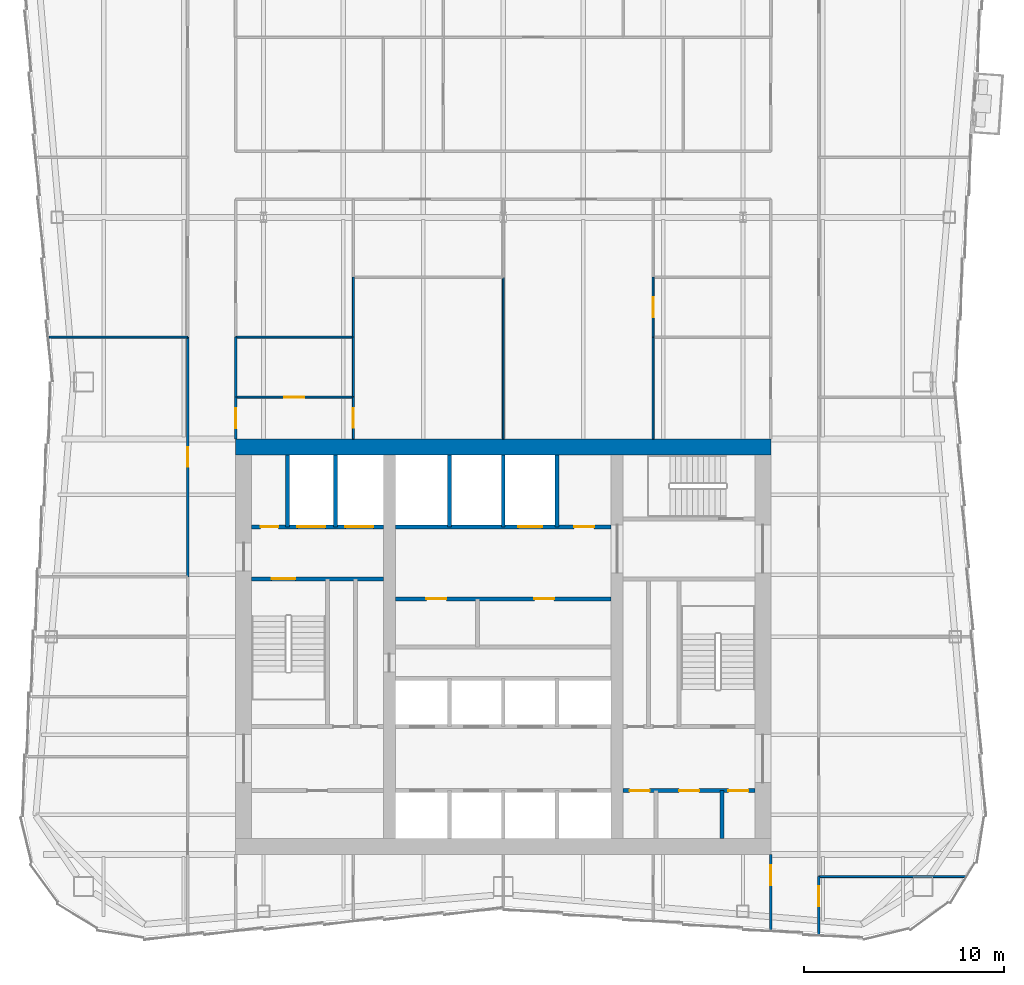
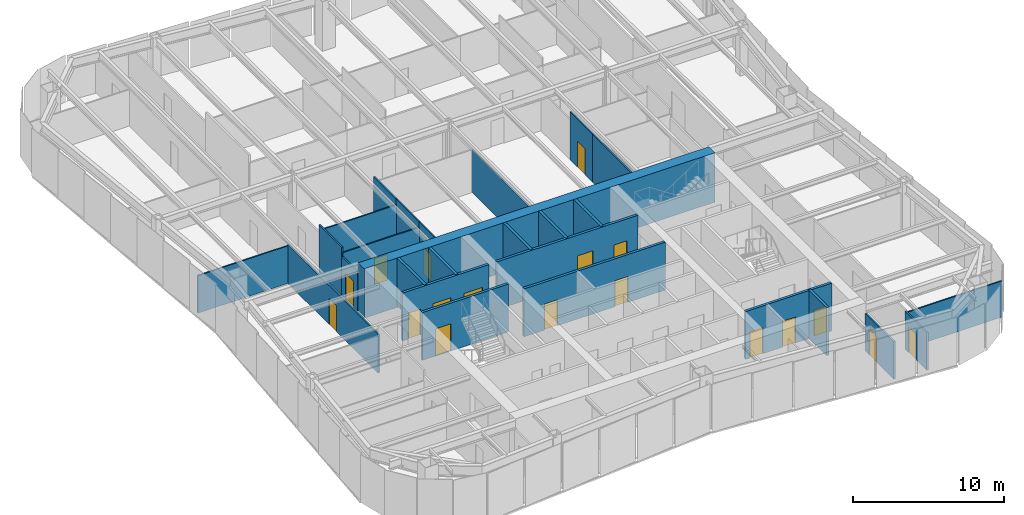
# One storey, part 7 of 11: 27 walls, 18 doors, 18 openings.
"""IFC4 building model written with IfcOpenShell, lengths in metres."""

from ifc_helpers import new_model, si_unit, direction, frame, frame_2d, origin, place, context, subcontext, project, spatial, rectangle, extrude, material, layer, layer_set, type_object, element, fill, save


model = new_model("IFC4")

# Units and contexts
model_context = context("Model", 3, precision=1e-05, world=origin(), true_north=direction((0.0, 1.0)))
body_context = subcontext(model_context, "Body", "Model", "MODEL_VIEW")
ifc_project = project(units=[si_unit("LENGTHUNIT", "METRE"), si_unit("AREAUNIT", "SQUARE_METRE"), si_unit("VOLUMEUNIT", "CUBIC_METRE"), si_unit("PLANEANGLEUNIT", "RADIAN"), si_unit("MASSUNIT", "GRAM", prefix="KILO")], contexts=[model_context])

# Site, building, storey
site_placement = place(None, origin())
site = spatial("IfcSite", under=ifc_project, at=site_placement, CompositionType="ELEMENT")
building_placement = place(site_placement, origin())
building = spatial("IfcBuilding", under=site, at=building_placement, Name="Verdant Reach Tower", CompositionType="ELEMENT")
storey_placement = place(building_placement, frame((0.0, 0.0, 254.0)))
storey = spatial("IfcBuildingStorey", under=building, at=storey_placement, Name="L58", CompositionType="ELEMENT", Elevation=254.0)

# Wall, openings, doors
ifc_material_1 = material(Name="Gypsum board on steel studs", Category="steel")
ifc_layer_1 = layer(ifc_material_1, 0.199951171875)
ifc_layer_set_1 = layer_set([ifc_layer_1], Name="CO-WALL-ROOM")
wall_type_1 = type_object("IfcWallType", Name="CO-WALL-ROOM", PredefinedType="PARTITIONING", material=ifc_layer_set_1)
wall_1_placement = place(storey_placement, frame((6.0, 20.800048828125, 0.0), z_axis=(0.0, 0.0, 1.0), x_axis=(1.0, 0.0, 0.0)))
wall_1 = element("IfcWall", 1, at=wall_1_placement, inside=storey, type_object=wall_type_1, Name="Core partition, L58", PredefinedType="PARTITIONING", context=body_context, shape_type="SweptSolid", body=[
    extrude(rectangle(XDim=6.60009765625, YDim=0.199951171875, at=frame_2d((3.300048828125, 0.0))), origin(), (0.0, 0.0, 1.0), 3.8701171875),
])
opening_1_placement = place(wall_1_placement, frame((0.324951171875, 0.0, 0.0)))
opening_1 = element("IfcOpeningElement", 2, at=opening_1_placement, cuts=wall_1, Name="Opening CD", PredefinedType="OPENING", context=body_context, shape_type="SweptSolid", body=[
    extrude(rectangle(XDim=1.0, YDim=2.10009765625, at=frame_2d((0.5, 1.050048828125))), frame((0.0, 0.10986328125, 0.0), z_axis=(0.0, -1.0, 0.0), x_axis=(1.0, 0.0, 0.0)), (0.0, 0.0, 1.0), 0.219970703125),
])
opening_2_placement = place(wall_1_placement, frame((2.800048828125, 0.0, 0.0)))
opening_2 = element("IfcOpeningElement", 3, at=opening_2_placement, cuts=wall_1, Name="Opening CD", PredefinedType="OPENING", context=body_context, shape_type="SweptSolid", body=[
    extrude(rectangle(XDim=1.0, YDim=2.10009765625, at=frame_2d((0.5, 1.050048828125))), frame((0.0, 0.10986328125, 0.0), z_axis=(0.0, -1.0, 0.0), x_axis=(1.0, 0.0, 0.0)), (0.0, 0.0, 1.0), 0.219970703125),
])
opening_3_placement = place(wall_1_placement, frame((5.27490234375, 0.0, 0.0)))
opening_3 = element("IfcOpeningElement", 4, at=opening_3_placement, cuts=wall_1, Name="Opening CD", PredefinedType="OPENING", context=body_context, shape_type="SweptSolid", body=[
    extrude(rectangle(XDim=1.0, YDim=2.10009765625, at=frame_2d((0.5, 1.050048828125))), frame((0.0, 0.10986328125, 0.0), z_axis=(0.0, -1.0, 0.0), x_axis=(1.0, 0.0, 0.0)), (0.0, 0.0, 1.0), 0.219970703125),
])
ifc_material_2 = material(Name="Timber", Category="wood")
door_type_1 = type_object("IfcDoorType", Name="CO-DOOR-ROOM", OperationType="NOTDEFINED", PredefinedType="DOOR", material=ifc_material_2)
door_1_placement = place(opening_1_placement, origin())
door_1 = element("IfcDoor", 5, at=door_1_placement, inside=storey, type_object=door_type_1, Name="Core room door, L58", OperationType="SINGLE_SWING_LEFT", OverallHeight=2.10009765625, OverallWidth=1.0, PredefinedType="DOOR", context=body_context, shape_type="SweptSolid", body=[
    extrude(rectangle(XDim=1.0, YDim=2.10009765625, at=frame_2d((0.5, 1.050048828125))), frame((0.0, 0.02490234375, 0.0), z_axis=(0.0, -1.0, 0.0), x_axis=(1.0, 0.0, 0.0)), (0.0, 0.0, 1.0), 0.050048828125),
])
fill(opening_1, door_1)
door_2_placement = place(opening_2_placement, origin())
door_2 = element("IfcDoor", 6, at=door_2_placement, inside=storey, type_object=door_type_1, Name="Core room door, L58", OperationType="SINGLE_SWING_LEFT", OverallHeight=2.10009765625, OverallWidth=1.0, PredefinedType="DOOR", context=body_context, shape_type="SweptSolid", body=[
    extrude(rectangle(XDim=1.0, YDim=2.10009765625, at=frame_2d((0.5, 1.050048828125))), frame((0.0, 0.02490234375, 0.0), z_axis=(0.0, -1.0, 0.0), x_axis=(1.0, 0.0, 0.0)), (0.0, 0.0, 1.0), 0.050048828125),
])
fill(opening_2, door_2)
door_3_placement = place(opening_3_placement, origin())
door_3 = element("IfcDoor", 7, at=door_3_placement, inside=storey, type_object=door_type_1, Name="Core room door, L58", OperationType="SINGLE_SWING_LEFT", OverallHeight=2.10009765625, OverallWidth=1.0, PredefinedType="DOOR", context=body_context, shape_type="SweptSolid", body=[
    extrude(rectangle(XDim=1.0, YDim=2.10009765625, at=frame_2d((0.5, 1.050048828125))), frame((0.0, 0.02490234375, 0.0), z_axis=(0.0, -1.0, 0.0), x_axis=(1.0, 0.0, 0.0)), (0.0, 0.0, 1.0), 0.050048828125),
])
fill(opening_3, door_3)

wall_2_placement = place(storey_placement, frame((-5.39990234375, 30.39990234375, 0.0), z_axis=(0.0, 0.0, 1.0), x_axis=(1.0, 0.0, 0.0)))
wall_2 = element("IfcWall", 8, at=wall_2_placement, inside=storey, type_object=wall_type_1, Name="Core partition, L58", PredefinedType="PARTITIONING", context=body_context, shape_type="SweptSolid", body=[
    extrude(rectangle(XDim=10.7998046875, YDim=0.199951171875, at=frame_2d((5.39990234375, 0.0))), origin(), (0.0, 0.0, 1.0), 3.8701171875),
])
opening_4_placement = place(wall_2_placement, frame((1.552001953125, 0.0, 0.0)))
opening_4 = element("IfcOpeningElement", 9, at=opening_4_placement, cuts=wall_2, Name="Opening CD", PredefinedType="OPENING", context=body_context, shape_type="SweptSolid", body=[
    extrude(rectangle(XDim=1.0, YDim=2.10009765625, at=frame_2d((0.5, 1.050048828125))), frame((0.0, 0.10986328125, 0.0), z_axis=(0.0, -1.0, 0.0), x_axis=(1.0, 0.0, 0.0)), (0.0, 0.0, 1.0), 0.219970703125),
])
opening_5_placement = place(wall_2_placement, frame((6.951904296875, 0.0, 0.0)))
opening_5 = element("IfcOpeningElement", 10, at=opening_5_placement, cuts=wall_2, Name="Opening CD", PredefinedType="OPENING", context=body_context, shape_type="SweptSolid", body=[
    extrude(rectangle(XDim=1.0, YDim=2.10009765625, at=frame_2d((0.5, 1.050048828125))), frame((0.0, 0.10986328125, 0.0), z_axis=(0.0, -1.0, 0.0), x_axis=(1.0, 0.0, 0.0)), (0.0, 0.0, 1.0), 0.219970703125),
])
door_4_placement = place(opening_4_placement, origin())
door_4 = element("IfcDoor", 11, at=door_4_placement, inside=storey, type_object=door_type_1, Name="Core room door, L58", OperationType="SINGLE_SWING_LEFT", OverallHeight=2.10009765625, OverallWidth=1.0, PredefinedType="DOOR", context=body_context, shape_type="SweptSolid", body=[
    extrude(rectangle(XDim=1.0, YDim=2.10009765625, at=frame_2d((0.5, 1.050048828125))), frame((0.0, 0.02490234375, 0.0), z_axis=(0.0, -1.0, 0.0), x_axis=(1.0, 0.0, 0.0)), (0.0, 0.0, 1.0), 0.050048828125),
])
fill(opening_4, door_4)
door_5_placement = place(opening_5_placement, origin())
door_5 = element("IfcDoor", 12, at=door_5_placement, inside=storey, type_object=door_type_1, Name="Core room door, L58", OperationType="SINGLE_SWING_RIGHT", OverallHeight=2.10009765625, OverallWidth=1.0, PredefinedType="DOOR", context=body_context, shape_type="SweptSolid", body=[
    extrude(rectangle(XDim=1.0, YDim=2.10009765625, at=frame_2d((0.5, 1.050048828125))), frame((0.0, 0.02490234375, 0.0), z_axis=(0.0, -1.0, 0.0), x_axis=(1.0, 0.0, 0.0)), (0.0, 0.0, 1.0), 0.050048828125),
])
fill(opening_5, door_5)

# Wall
wall_3_placement = place(storey_placement, frame((10.949951171875, 18.39990234375, 0.0), z_axis=(0.0, 0.0, 1.0), x_axis=(0.0, 1.0, 0.0)))
element("IfcWall", 13, at=wall_3_placement, inside=storey, type_object=wall_type_1, Name="Core partition, L58", PredefinedType="PARTITIONING", context=body_context, shape_type="SweptSolid", body=[
    extrude(rectangle(XDim=2.400146484375, YDim=0.199951171875, at=frame_2d((1.2001953125, 0.0))), origin(), (0.0, 0.0, 1.0), 3.8701171875),
])

# Wall, openings, doors
ifc_material_3 = material(Name="Concrete C40/50", Category="concrete")
ifc_layer_2 = layer(ifc_material_3, 0.199951171875)
ifc_layer_set_2 = layer_set([ifc_layer_2], Name="CO-WALL-SHAFT")
wall_type_2 = type_object("IfcWallType", Name="CO-WALL-SHAFT", PredefinedType="PARTITIONING", material=ifc_layer_set_2)
wall_4_placement = place(storey_placement, frame((-12.60009765625, 34.0, 0.0), z_axis=(0.0, 0.0, 1.0), x_axis=(1.0, 0.0, 0.0)))
wall_4 = element("IfcWall", 14, at=wall_4_placement, inside=storey, type_object=wall_type_2, Name="Lift shaft wall, L58", PredefinedType="PARTITIONING", context=body_context, shape_type="SweptSolid", body=[
    extrude(rectangle(XDim=6.60009765625, YDim=0.199951171875, at=frame_2d((3.300048828125, 0.0))), origin(), (0.0, 0.0, 1.0), 3.8701171875),
])
opening_6_placement = place(wall_4_placement, frame((4.699951171875, 0.0, 0.0)))
opening_6 = element("IfcOpeningElement", 15, at=opening_6_placement, cuts=wall_4, Name="Opening LD-F1", PredefinedType="OPENING", context=body_context, shape_type="SweptSolid", body=[
    extrude(rectangle(XDim=1.39990234375, YDim=2.199951171875, at=frame_2d((0.699951171875, 1.10009765625))), frame((0.0, 0.10986328125, 0.0), z_axis=(0.0, -1.0, 0.0), x_axis=(1.0, 0.0, 0.0)), (0.0, 0.0, 1.0), 0.219970703125),
])
opening_7_placement = place(wall_4_placement, frame((2.300048828125, 0.0, 0.0)))
opening_7 = element("IfcOpeningElement", 16, at=opening_7_placement, cuts=wall_4, Name="Opening LD-F2", PredefinedType="OPENING", context=body_context, shape_type="SweptSolid", body=[
    extrude(rectangle(XDim=1.39990234375, YDim=2.199951171875, at=frame_2d((0.699951171875, 1.10009765625))), frame((0.0, 0.10986328125, 0.0), z_axis=(0.0, -1.0, 0.0), x_axis=(1.0, 0.0, 0.0)), (0.0, 0.0, 1.0), 0.219970703125),
])
opening_8_placement = place(wall_4_placement, frame((0.449951171875, 0.0, 0.0)))
opening_8 = element("IfcOpeningElement", 17, at=opening_8_placement, cuts=wall_4, Name="Opening RD", PredefinedType="OPENING", context=body_context, shape_type="SweptSolid", body=[
    extrude(rectangle(XDim=0.89990234375, YDim=2.10009765625, at=frame_2d((0.449951171875, 1.050048828125))), frame((0.0, 0.10986328125, 0.0), z_axis=(0.0, -1.0, 0.0), x_axis=(1.0, 0.0, 0.0)), (0.0, 0.0, 1.0), 0.219970703125),
])
ifc_material_4 = material(Name="Stainless steel", Category="steel")
door_type_2 = type_object("IfcDoorType", Name="CO-DOOR-LANDING-FF", OperationType="SLIDING_TO_LEFT", PredefinedType="DOOR", material=ifc_material_4)
door_6_placement = place(opening_6_placement, origin())
door_6 = element("IfcDoor", 18, at=door_6_placement, inside=storey, type_object=door_type_2, Name="Landing door F1, L58", OperationType="SLIDING_TO_LEFT", OverallHeight=2.199951171875, OverallWidth=1.39990234375, PredefinedType="DOOR", context=body_context, shape_type="SweptSolid", body=[
    extrude(rectangle(XDim=1.39990234375, YDim=2.199951171875, at=frame_2d((0.699951171875, 1.10009765625))), frame((0.0, 0.02490234375, 0.0), z_axis=(0.0, -1.0, 0.0), x_axis=(1.0, 0.0, 0.0)), (0.0, 0.0, 1.0), 0.050048828125),
])
fill(opening_6, door_6)
door_7_placement = place(opening_7_placement, origin())
door_7 = element("IfcDoor", 19, at=door_7_placement, inside=storey, type_object=door_type_2, Name="Landing door F2, L58", OperationType="SLIDING_TO_LEFT", OverallHeight=2.199951171875, OverallWidth=1.39990234375, PredefinedType="DOOR", context=body_context, shape_type="SweptSolid", body=[
    extrude(rectangle(XDim=1.39990234375, YDim=2.199951171875, at=frame_2d((0.699951171875, 1.10009765625))), frame((0.0, 0.02490234375, 0.0), z_axis=(0.0, -1.0, 0.0), x_axis=(1.0, 0.0, 0.0)), (0.0, 0.0, 1.0), 0.050048828125),
])
fill(opening_7, door_7)
ifc_material_5 = material(Name="Steel", Category="steel")
door_type_3 = type_object("IfcDoorType", Name="CO-DOOR-RISER", OperationType="NOTDEFINED", PredefinedType="DOOR", material=ifc_material_5)
door_8_placement = place(opening_8_placement, origin())
door_8 = element("IfcDoor", 20, at=door_8_placement, inside=storey, type_object=door_type_3, Name="Core room door, L58", OperationType="SINGLE_SWING_RIGHT", OverallHeight=2.10009765625, OverallWidth=0.89990234375, PredefinedType="DOOR", context=body_context, shape_type="SweptSolid", body=[
    extrude(rectangle(XDim=0.89990234375, YDim=2.10009765625, at=frame_2d((0.449951171875, 1.050048828125))), frame((0.0, 0.02490234375, 0.0), z_axis=(0.0, -1.0, 0.0), x_axis=(1.0, 0.0, 0.0)), (0.0, 0.0, 1.0), 0.050048828125),
])
fill(opening_8, door_8)

wall_5_placement = place(storey_placement, frame((-5.39990234375, 34.0, 0.0), z_axis=(0.0, 0.0, 1.0), x_axis=(1.0, 0.0, 0.0)))
wall_5 = element("IfcWall", 21, at=wall_5_placement, inside=storey, type_object=wall_type_2, Name="Lift shaft wall, L58", PredefinedType="PARTITIONING", context=body_context, shape_type="SweptSolid", body=[
    extrude(rectangle(XDim=10.7998046875, YDim=0.199951171875, at=frame_2d((5.39990234375, 0.0))), origin(), (0.0, 0.0, 1.0), 3.8701171875),
])
opening_9_placement = place(wall_5_placement, frame((6.14990234375, 0.0, 0.0)))
opening_9 = element("IfcOpeningElement", 22, at=opening_9_placement, cuts=wall_5, Name="Opening LD-SL1", PredefinedType="OPENING", context=body_context, shape_type="SweptSolid", body=[
    extrude(rectangle(XDim=1.199951171875, YDim=2.199951171875, at=frame_2d((0.60009765625, 1.10009765625))), frame((0.0, 0.10986328125, 0.0), z_axis=(0.0, -1.0, 0.0), x_axis=(1.0, 0.0, 0.0)), (0.0, 0.0, 1.0), 0.219970703125),
])
opening_10_placement = place(wall_5_placement, frame((8.949951171875, 0.0, 0.0)))
opening_10 = element("IfcOpeningElement", 23, at=opening_10_placement, cuts=wall_5, Name="Opening CD", PredefinedType="OPENING", context=body_context, shape_type="SweptSolid", body=[
    extrude(rectangle(XDim=1.0, YDim=2.10009765625, at=frame_2d((0.5, 1.050048828125))), frame((0.0, 0.10986328125, 0.0), z_axis=(0.0, -1.0, 0.0), x_axis=(1.0, 0.0, 0.0)), (0.0, 0.0, 1.0), 0.219970703125),
])
door_type_4 = type_object("IfcDoorType", Name="CO-DOOR-LANDING", OperationType="SLIDING_TO_LEFT", PredefinedType="DOOR", material=ifc_material_4)
door_9_placement = place(opening_9_placement, origin())
door_9 = element("IfcDoor", 24, at=door_9_placement, inside=storey, type_object=door_type_4, Name="Landing door SL1, L58", OperationType="SLIDING_TO_LEFT", OverallHeight=2.199951171875, OverallWidth=1.199951171875, PredefinedType="DOOR", context=body_context, shape_type="SweptSolid", body=[
    extrude(rectangle(XDim=1.199951171875, YDim=2.199951171875, at=frame_2d((0.60009765625, 1.10009765625))), frame((0.0, 0.02490234375, 0.0), z_axis=(0.0, -1.0, 0.0), x_axis=(1.0, 0.0, 0.0)), (0.0, 0.0, 1.0), 0.050048828125),
])
fill(opening_9, door_9)
door_10_placement = place(opening_10_placement, origin())
door_10 = element("IfcDoor", 25, at=door_10_placement, inside=storey, type_object=door_type_1, Name="Core room door, L58", OperationType="SINGLE_SWING_LEFT", OverallHeight=2.10009765625, OverallWidth=1.0, PredefinedType="DOOR", context=body_context, shape_type="SweptSolid", body=[
    extrude(rectangle(XDim=1.0, YDim=2.10009765625, at=frame_2d((0.5, 1.050048828125))), frame((0.0, 0.02490234375, 0.0), z_axis=(0.0, -1.0, 0.0), x_axis=(1.0, 0.0, 0.0)), (0.0, 0.0, 1.0), 0.050048828125),
])
fill(opening_10, door_10)

# Walls
for number, where, z_axis, x_axis, name in (
    (26, (-10.800048828125, 34.0, 0.0), (0.0, 0.0, 1.0), (0.0, 1.0, 0.0), "Lift shaft wall, L58"),
    (27, (-8.39990234375, 34.0, 0.0), (0.0, 0.0, 1.0), (0.0, 1.0, 0.0), "Lift shaft wall, L58"),
    (28, (-2.699951171875, 34.0, 0.0), (0.0, 0.0, 1.0), (0.0, 1.0, 0.0), "Lift shaft wall, L58"),
    (29, (0.0, 34.0, 0.0), (0.0, 0.0, 1.0), (0.0, 1.0, 0.0), "Lift shaft wall, L58"),
    (30, (2.699951171875, 34.0, 0.0), (0.0, 0.0, 1.0), (0.0, 1.0, 0.0), "Lift shaft wall, L58"),
):
    element("IfcWall", number, at=place(storey_placement, frame(where, z_axis=z_axis, x_axis=x_axis)), inside=storey, type_object=wall_type_2, Name=name, PredefinedType="PARTITIONING", context=body_context, shape_type="SweptSolid", body=[
        extrude(rectangle(XDim=3.60009765625, YDim=0.199951171875, at=frame_2d((1.800048828125, 0.0))), origin(), (0.0, 0.0, 1.0), 3.8701171875),
    ])

# Wall, opening, door
ifc_layer_3 = layer(ifc_material_3, 0.199951171875)
ifc_layer_set_3 = layer_set([ifc_layer_3], Name="CO-WALL-STAIR")
wall_type_3 = type_object("IfcWallType", Name="CO-WALL-STAIR", PredefinedType="PARTITIONING", material=ifc_layer_set_3)
wall_6_placement = place(storey_placement, frame((-12.60009765625, 31.39990234375, 0.0), z_axis=(0.0, 0.0, 1.0), x_axis=(1.0, 0.0, 0.0)))
wall_6 = element("IfcWall", 31, at=wall_6_placement, inside=storey, type_object=wall_type_3, Name="Stair enclosure wall, L58", PredefinedType="PARTITIONING", context=body_context, shape_type="SweptSolid", body=[
    extrude(rectangle(XDim=6.60009765625, YDim=0.199951171875, at=frame_2d((3.300048828125, 0.0))), origin(), (0.0, 0.0, 1.0), 3.8701171875),
])
opening_11_placement = place(wall_6_placement, frame((1.0, 0.0, 0.0)))
opening_11 = element("IfcOpeningElement", 32, at=opening_11_placement, cuts=wall_6, Name="Opening SD", PredefinedType="OPENING", context=body_context, shape_type="SweptSolid", body=[
    extrude(rectangle(XDim=1.199951171875, YDim=2.199951171875, at=frame_2d((0.60009765625, 1.10009765625))), frame((0.0, 0.10986328125, 0.0), z_axis=(0.0, -1.0, 0.0), x_axis=(1.0, 0.0, 0.0)), (0.0, 0.0, 1.0), 0.219970703125),
])
door_type_5 = type_object("IfcDoorType", Name="CO-DOOR-STAIR", OperationType="NOTDEFINED", PredefinedType="DOOR", material=ifc_material_5)
door_11_placement = place(opening_11_placement, origin())
door_11 = element("IfcDoor", 33, at=door_11_placement, inside=storey, type_object=door_type_5, Name="Stair door, L58", OperationType="SINGLE_SWING_RIGHT", OverallHeight=2.199951171875, OverallWidth=1.199951171875, PredefinedType="DOOR", context=body_context, shape_type="SweptSolid", body=[
    extrude(rectangle(XDim=1.199951171875, YDim=2.199951171875, at=frame_2d((0.60009765625, 1.10009765625))), frame((0.0, 0.02490234375, 0.0), z_axis=(0.0, -1.0, 0.0), x_axis=(1.0, 0.0, 0.0)), (0.0, 0.0, 1.0), 0.050048828125),
])
fill(opening_11, door_11)

# Walls
ifc_layer_4 = layer(ifc_material_1, 0.10009765625)
ifc_layer_set_4 = layer_set([ifc_layer_4], Name="FL-W1 Partition 100")
wall_type_4 = type_object("IfcWallType", Name="FL-W1 Partition 100", PredefinedType="PARTITIONING", material=ifc_layer_set_4)
wall_7_placement = place(storey_placement, frame((-15.800048828125, 43.5, 0.0), z_axis=(0.0, 0.0, 1.0), x_axis=(-1.0, 0.0, 0.0)))
element("IfcWall", 34, at=wall_7_placement, inside=storey, type_object=wall_type_4, Name="Partition 58.38", PredefinedType="PARTITIONING", context=body_context, shape_type="SweptSolid", body=[
    extrude(rectangle(XDim=6.93505859375, YDim=0.10009765625, at=frame_2d((3.467529296875, 0.0))), origin(), (0.0, 0.0, 1.0), 3.0400390625),
])
wall_8_placement = place(storey_placement, frame((23.15283203125, 16.5, 0.0), z_axis=(0.0, 0.0, 1.0), x_axis=(-1.0, 0.0, 0.0)))
element("IfcWall", 35, at=wall_8_placement, inside=storey, type_object=wall_type_4, Name="Partition 58.41", PredefinedType="PARTITIONING", context=body_context, shape_type="SweptSolid", body=[
    extrude(rectangle(XDim=7.352783203125, YDim=0.10009765625, at=frame_2d((3.67626953125, 0.0))), origin(), (0.0, 0.0, 1.0), 2.929931640625),
])

# Wall, opening, door
wall_9_placement = place(storey_placement, frame((-13.39990234375, 40.5, 0.0), z_axis=(0.0, 0.0, 1.0), x_axis=(1.0, 0.0, 0.0)))
wall_9 = element("IfcWall", 36, at=wall_9_placement, inside=storey, type_object=wall_type_4, Name="Partition 58.48", PredefinedType="PARTITIONING", context=body_context, shape_type="SweptSolid", body=[
    extrude(rectangle(XDim=5.89990234375, YDim=0.10009765625, at=frame_2d((2.949951171875, 0.0))), origin(), (0.0, 0.0, 1.0), 3.43994140625),
])
opening_12_placement = place(wall_9_placement, frame((2.449951171875, 0.0, 0.0)))
opening_12 = element("IfcOpeningElement", 37, at=opening_12_placement, cuts=wall_9, Name="Opening D3", PredefinedType="OPENING", context=body_context, shape_type="SweptSolid", body=[
    extrude(rectangle(XDim=1.0, YDim=2.10009765625, at=frame_2d((0.5, 1.050048828125))), frame((0.0, 0.06005859375, 0.0), z_axis=(0.0, -1.0, 0.0), x_axis=(1.0, 0.0, 0.0)), (0.0, 0.0, 1.0), 0.1201171875),
])
ifc_material_6 = material(Name="Painted timber door leaf", Category="wood")
door_type_6 = type_object("IfcDoorType", Name="FL-D3 Door 1000x2100", OperationType="NOTDEFINED", PredefinedType="DOOR", material=ifc_material_6)
door_12_placement = place(opening_12_placement, origin())
door_12 = element("IfcDoor", 38, at=door_12_placement, inside=storey, type_object=door_type_6, Name="Door 58-029", OperationType="SINGLE_SWING_LEFT", OverallHeight=2.10009765625, OverallWidth=1.0, PredefinedType="DOOR", context=body_context, shape_type="SweptSolid", body=[
    extrude(rectangle(XDim=1.0, YDim=2.10009765625, at=frame_2d((0.5, 1.050048828125))), frame((0.0, 0.02490234375, 0.0), z_axis=(0.0, -1.0, 0.0), x_axis=(1.0, 0.0, 0.0)), (0.0, 0.0, 1.0), 0.050048828125),
])
fill(opening_12, door_12)

wall_10_placement = place(storey_placement, frame((-7.5, 40.50390625, 0.0), z_axis=(0.0, 0.0, 1.0), x_axis=(0.0, -1.0, 0.0)))
wall_10 = element("IfcWall", 39, at=wall_10_placement, inside=storey, type_object=wall_type_4, Name="Partition 58.49", PredefinedType="PARTITIONING", context=body_context, shape_type="SweptSolid", body=[
    extrude(rectangle(XDim=2.10400390625, YDim=0.10009765625, at=frame_2d((1.052001953125, 0.0))), origin(), (0.0, 0.0, 1.0), 3.8701171875),
])
opening_13_placement = place(wall_10_placement, frame((0.552001953125, 0.0, 0.0)))
opening_13 = element("IfcOpeningElement", 40, at=opening_13_placement, cuts=wall_10, Name="Opening D3", PredefinedType="OPENING", context=body_context, shape_type="SweptSolid", body=[
    extrude(rectangle(XDim=1.0, YDim=2.10009765625, at=frame_2d((0.5, 1.050048828125))), frame((0.0, 0.06005859375, 0.0), z_axis=(0.0, -1.0, 0.0), x_axis=(1.0, 0.0, 0.0)), (0.0, 0.0, 1.0), 0.1201171875),
])
door_13_placement = place(opening_13_placement, origin())
door_13 = element("IfcDoor", 41, at=door_13_placement, inside=storey, type_object=door_type_6, Name="Door 58-030", OperationType="SINGLE_SWING_RIGHT", OverallHeight=2.10009765625, OverallWidth=1.0, PredefinedType="DOOR", context=body_context, shape_type="SweptSolid", body=[
    extrude(rectangle(XDim=1.0, YDim=2.10009765625, at=frame_2d((0.5, 1.050048828125))), frame((0.0, 0.02490234375, 0.0), z_axis=(0.0, -1.0, 0.0), x_axis=(1.0, 0.0, 0.0)), (0.0, 0.0, 1.0), 0.050048828125),
])
fill(opening_13, door_13)

# Walls
wall_11_placement = place(storey_placement, frame((-7.5, 43.5, 0.0), z_axis=(0.0, 0.0, 1.0), x_axis=(-1.0, 0.0, 0.0)))
element("IfcWall", 42, at=wall_11_placement, inside=storey, type_object=wall_type_4, Name="Partition 58.50", PredefinedType="PARTITIONING", context=body_context, shape_type="SweptSolid", body=[
    extrude(rectangle(XDim=5.89990234375, YDim=0.10009765625, at=frame_2d((2.949951171875, 0.0))), origin(), (0.0, 0.0, 1.0), 3.43994140625),
])
wall_12_placement = place(storey_placement, frame((-7.5, 40.49609375, 0.0), z_axis=(0.0, 0.0, 1.0), x_axis=(0.0, 1.0, 0.0)))
element("IfcWall", 43, at=wall_12_placement, inside=storey, type_object=wall_type_4, Name="Partition 58.51", PredefinedType="PARTITIONING", context=body_context, shape_type="SweptSolid", body=[
    extrude(rectangle(XDim=3.0078125, YDim=0.10009765625, at=frame_2d((1.50390625, 0.0))), origin(), (0.0, 0.0, 1.0), 3.8701171875),
])
wall_13_placement = place(storey_placement, frame((-7.5, 43.49609375, 0.0), z_axis=(0.0, 0.0, 1.0), x_axis=(0.0, 1.0, 0.0)))
element("IfcWall", 44, at=wall_13_placement, inside=storey, type_object=wall_type_4, Name="Partition 58.52", PredefinedType="PARTITIONING", context=body_context, shape_type="SweptSolid", body=[
    extrude(rectangle(XDim=3.00390625, YDim=0.10009765625, at=frame_2d((1.501953125, 0.0))), origin(), (0.0, 0.0, 1.0), 3.8701171875),
])
wall_14_placement = place(storey_placement, frame((0.0, 38.39990234375, 0.0), z_axis=(0.0, 0.0, 1.0), x_axis=(0.0, 1.0, 0.0)))
element("IfcWall", 45, at=wall_14_placement, inside=storey, type_object=wall_type_4, Name="Partition 58.55", PredefinedType="PARTITIONING", context=body_context, shape_type="SweptSolid", body=[
    extrude(rectangle(XDim=8.10400390625, YDim=0.10009765625, at=frame_2d((4.052001953125, 0.0))), origin(), (0.0, 0.0, 1.0), 3.43994140625),
])
wall_15_placement = place(storey_placement, frame((7.5, 43.50390625, 0.0), z_axis=(0.0, 0.0, 1.0), x_axis=(0.0, -1.0, 0.0)))
element("IfcWall", 46, at=wall_15_placement, inside=storey, type_object=wall_type_4, Name="Partition 58.58", PredefinedType="PARTITIONING", context=body_context, shape_type="SweptSolid", body=[
    extrude(rectangle(XDim=5.10400390625, YDim=0.10009765625, at=frame_2d((2.552001953125, 0.0))), origin(), (0.0, 0.0, 1.0), 3.8701171875),
])

# Wall, opening, door
wall_16_placement = place(storey_placement, frame((7.5, 46.50390625, 0.0), z_axis=(0.0, 0.0, 1.0), x_axis=(0.0, -1.0, 0.0)))
wall_16 = element("IfcWall", 47, at=wall_16_placement, inside=storey, type_object=wall_type_4, Name="Partition 58.60", PredefinedType="PARTITIONING", context=body_context, shape_type="SweptSolid", body=[
    extrude(rectangle(XDim=3.0078125, YDim=0.10009765625, at=frame_2d((1.50390625, 0.0))), origin(), (0.0, 0.0, 1.0), 3.8701171875),
])
opening_14_placement = place(wall_16_placement, frame((1.00390625, 0.0, 0.0)))
opening_14 = element("IfcOpeningElement", 48, at=opening_14_placement, cuts=wall_16, Name="Opening D3", PredefinedType="OPENING", context=body_context, shape_type="SweptSolid", body=[
    extrude(rectangle(XDim=1.0, YDim=2.10009765625, at=frame_2d((0.5, 1.050048828125))), frame((0.0, 0.06005859375, 0.0), z_axis=(0.0, -1.0, 0.0), x_axis=(1.0, 0.0, 0.0)), (0.0, 0.0, 1.0), 0.1201171875),
])
door_14_placement = place(opening_14_placement, origin())
door_14 = element("IfcDoor", 49, at=door_14_placement, inside=storey, type_object=door_type_6, Name="Door 58-031", OperationType="SINGLE_SWING_LEFT", OverallHeight=2.10009765625, OverallWidth=1.0, PredefinedType="DOOR", context=body_context, shape_type="SweptSolid", body=[
    extrude(rectangle(XDim=1.0, YDim=2.10009765625, at=frame_2d((0.5, 1.050048828125))), frame((0.0, 0.02490234375, 0.0), z_axis=(0.0, -1.0, 0.0), x_axis=(1.0, 0.0, 0.0)), (0.0, 0.0, 1.0), 0.050048828125),
])
fill(opening_14, door_14)

ifc_material_7 = material(Name="Gypsum board on steel studs, fire rated", Category="steel")
ifc_layer_5 = layer(ifc_material_7, 0.125)
ifc_layer_set_5 = layer_set([ifc_layer_5], Name="FL-W2 Corridor wall 125")
wall_type_5 = type_object("IfcWallType", Name="FL-W2 Corridor wall 125", PredefinedType="PARTITIONING", material=ifc_layer_set_5)
wall_17_placement = place(storey_placement, frame((-15.800048828125, 31.5, 0.0), z_axis=(0.0, 0.0, 1.0), x_axis=(0.0, 1.0, 0.0)))
wall_17 = element("IfcWall", 50, at=wall_17_placement, inside=storey, type_object=wall_type_5, Name="Partition 58.05", PredefinedType="PARTITIONING", context=body_context, shape_type="SweptSolid", body=[
    extrude(rectangle(XDim=12.0, YDim=0.125, at=frame_2d((6.0, 0.0))), origin(), (0.0, 0.0, 1.0), 3.139892578125),
])
opening_15_placement = place(wall_17_placement, frame((5.5, 0.0, 0.0)))
opening_15 = element("IfcOpeningElement", 51, at=opening_15_placement, cuts=wall_17, Name="Opening D2", PredefinedType="OPENING", context=body_context, shape_type="SweptSolid", body=[
    extrude(rectangle(XDim=1.0, YDim=2.10009765625, at=frame_2d((0.5, 1.050048828125))), frame((0.0, 0.072509765625, 0.0), z_axis=(0.0, -1.0, 0.0), x_axis=(1.0, 0.0, 0.0)), (0.0, 0.0, 1.0), 0.14501953125),
])
ifc_material_8 = material(Name="Timber door leaf, fire rated", Category="wood")
door_type_7 = type_object("IfcDoorType", Name="FL-D2 Entrance door 1000x2100 FD30", OperationType="NOTDEFINED", PredefinedType="DOOR", material=ifc_material_8)
door_15_placement = place(opening_15_placement, origin())
door_15 = element("IfcDoor", 52, at=door_15_placement, inside=storey, type_object=door_type_7, Name="Door 58-005", OperationType="SINGLE_SWING_LEFT", OverallHeight=2.10009765625, OverallWidth=1.0, PredefinedType="DOOR", context=body_context, shape_type="SweptSolid", body=[
    extrude(rectangle(XDim=1.0, YDim=2.10009765625, at=frame_2d((0.5, 1.050048828125))), frame((0.0, 0.02490234375, 0.0), z_axis=(0.0, -1.0, 0.0), x_axis=(1.0, 0.0, 0.0)), (0.0, 0.0, 1.0), 0.050048828125),
])
fill(opening_15, door_15)

wall_18_placement = place(storey_placement, frame((15.800048828125, 16.5, 0.0), z_axis=(0.0, 0.0, 1.0), x_axis=(0.0, -1.0, 0.0)))
wall_18 = element("IfcWall", 53, at=wall_18_placement, inside=storey, type_object=wall_type_5, Name="Partition 58.09", PredefinedType="PARTITIONING", context=body_context, shape_type="SweptSolid", body=[
    extrude(rectangle(XDim=2.896728515625, YDim=0.125, at=frame_2d((1.4482421875, 0.0))), origin(), (0.0, 0.0, 1.0), 3.0400390625),
])
opening_16_placement = place(wall_18_placement, frame((0.483154296875, 0.0, 0.0)))
opening_16 = element("IfcOpeningElement", 54, at=opening_16_placement, cuts=wall_18, Name="Opening D2", PredefinedType="OPENING", context=body_context, shape_type="SweptSolid", body=[
    extrude(rectangle(XDim=1.0, YDim=2.10009765625, at=frame_2d((0.5, 1.050048828125))), frame((0.0, 0.072509765625, 0.0), z_axis=(0.0, -1.0, 0.0), x_axis=(1.0, 0.0, 0.0)), (0.0, 0.0, 1.0), 0.14501953125),
])
door_16_placement = place(opening_16_placement, origin())
door_16 = element("IfcDoor", 55, at=door_16_placement, inside=storey, type_object=door_type_7, Name="Door 58-009", OperationType="SINGLE_SWING_LEFT", OverallHeight=2.10009765625, OverallWidth=1.0, PredefinedType="DOOR", context=body_context, shape_type="SweptSolid", body=[
    extrude(rectangle(XDim=1.0, YDim=2.10009765625, at=frame_2d((0.5, 1.050048828125))), frame((0.0, 0.02490234375, 0.0), z_axis=(0.0, -1.0, 0.0), x_axis=(1.0, 0.0, 0.0)), (0.0, 0.0, 1.0), 0.050048828125),
])
fill(opening_16, door_16)

wall_19_placement = place(storey_placement, frame((13.39990234375, 13.80322265625, 0.0), z_axis=(0.0, 0.0, 1.0), x_axis=(0.0, 1.0, 0.0)))
wall_19 = element("IfcWall", 56, at=wall_19_placement, inside=storey, type_object=wall_type_5, Name="Partition 58.15", PredefinedType="PARTITIONING", context=body_context, shape_type="SweptSolid", body=[
    extrude(rectangle(XDim=3.796875, YDim=0.125, at=frame_2d((1.8984375, 0.0))), origin(), (0.0, 0.0, 1.0), 3.0400390625),
])
opening_17_placement = place(wall_19_placement, frame((2.263427734375, 0.0, 0.0)))
opening_17 = element("IfcOpeningElement", 57, at=opening_17_placement, cuts=wall_19, Name="Opening D2", PredefinedType="OPENING", context=body_context, shape_type="SweptSolid", body=[
    extrude(rectangle(XDim=1.0, YDim=2.10009765625, at=frame_2d((0.5, 1.050048828125))), frame((0.0, 0.072509765625, 0.0), z_axis=(0.0, -1.0, 0.0), x_axis=(1.0, 0.0, 0.0)), (0.0, 0.0, 1.0), 0.14501953125),
])
door_17_placement = place(opening_17_placement, origin())
door_17 = element("IfcDoor", 58, at=door_17_placement, inside=storey, type_object=door_type_7, Name="Door 58-015", OperationType="SINGLE_SWING_RIGHT", OverallHeight=2.10009765625, OverallWidth=1.0, PredefinedType="DOOR", context=body_context, shape_type="SweptSolid", body=[
    extrude(rectangle(XDim=1.0, YDim=2.10009765625, at=frame_2d((0.5, 1.050048828125))), frame((0.0, 0.02490234375, 0.0), z_axis=(0.0, -1.0, 0.0), x_axis=(1.0, 0.0, 0.0)), (0.0, 0.0, 1.0), 0.050048828125),
])
fill(opening_17, door_17)

wall_20_placement = place(storey_placement, frame((-13.39990234375, 40.5, 0.0), z_axis=(0.0, 0.0, 1.0), x_axis=(0.0, -1.0, 0.0)))
wall_20 = element("IfcWall", 59, at=wall_20_placement, inside=storey, type_object=wall_type_5, Name="Partition 58.16", PredefinedType="PARTITIONING", context=body_context, shape_type="SweptSolid", body=[
    extrude(rectangle(XDim=2.10009765625, YDim=0.125, at=frame_2d((1.050048828125, 0.0))), origin(), (0.0, 0.0, 1.0), 3.139892578125),
])
opening_18_placement = place(wall_20_placement, frame((0.550048828125, 0.0, 0.0)))
opening_18 = element("IfcOpeningElement", 60, at=opening_18_placement, cuts=wall_20, Name="Opening D2", PredefinedType="OPENING", context=body_context, shape_type="SweptSolid", body=[
    extrude(rectangle(XDim=1.0, YDim=2.10009765625, at=frame_2d((0.5, 1.050048828125))), frame((0.0, 0.072509765625, 0.0), z_axis=(0.0, -1.0, 0.0), x_axis=(1.0, 0.0, 0.0)), (0.0, 0.0, 1.0), 0.14501953125),
])
door_18_placement = place(opening_18_placement, origin())
door_18 = element("IfcDoor", 61, at=door_18_placement, inside=storey, type_object=door_type_7, Name="Door 58-016", OperationType="SINGLE_SWING_RIGHT", OverallHeight=2.10009765625, OverallWidth=1.0, PredefinedType="DOOR", context=body_context, shape_type="SweptSolid", body=[
    extrude(rectangle(XDim=1.0, YDim=2.10009765625, at=frame_2d((0.5, 1.050048828125))), frame((0.0, 0.02490234375, 0.0), z_axis=(0.0, -1.0, 0.0), x_axis=(1.0, 0.0, 0.0)), (0.0, 0.0, 1.0), 0.050048828125),
])
fill(opening_18, door_18)

# Walls
wall_21_placement = place(storey_placement, frame((-13.39990234375, 40.5, 0.0), z_axis=(0.0, 0.0, 1.0), x_axis=(0.0, 1.0, 0.0)))
element("IfcWall", 62, at=wall_21_placement, inside=storey, type_object=wall_type_5, Name="Partition 58.17", PredefinedType="PARTITIONING", context=body_context, shape_type="SweptSolid", body=[
    extrude(rectangle(XDim=3.0, YDim=0.125, at=frame_2d((1.5, 0.0))), origin(), (0.0, 0.0, 1.0), 3.8701171875),
])
ifc_material_9 = material(Name="Concrete C70/85", Category="concrete")
ifc_layer_6 = layer(ifc_material_9, 0.800048828125)
ifc_layer_set_6 = layer_set([ifc_layer_6], Name="ST-CORE-WALL-800")
wall_type_6 = type_object("IfcWallType", Name="ST-CORE-WALL-800", PredefinedType="SHEAR", material=ifc_layer_set_6)
wall_22_placement = place(storey_placement, frame((-13.39990234375, 38.0, -0.1298828125), z_axis=(0.0, 0.0, 1.0), x_axis=(1.0, 0.0, 0.0)))
element("IfcWall", 63, at=wall_22_placement, inside=storey, type_object=wall_type_6, Name="Core wall N, L58", PredefinedType="SHEAR", context=body_context, shape_type="SweptSolid", body=[
    extrude(rectangle(XDim=26.7998046875, YDim=0.800048828125, at=frame_2d((13.39990234375, 0.0))), origin(), (0.0, 0.0, 1.0), 4.0),
])

save(model, "model.ifc")
